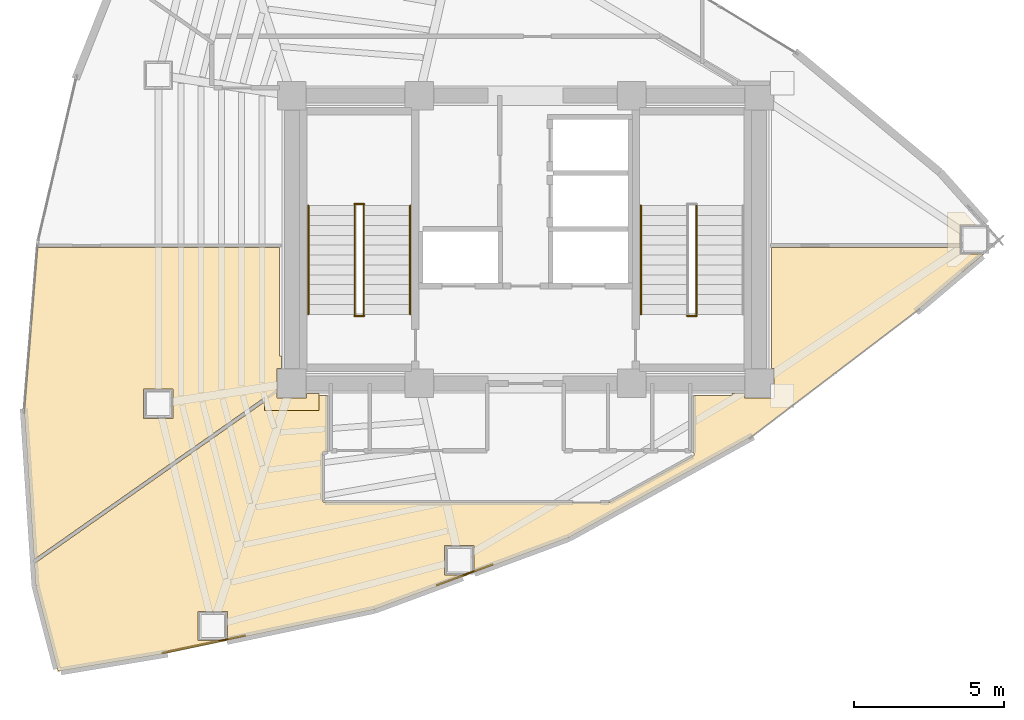
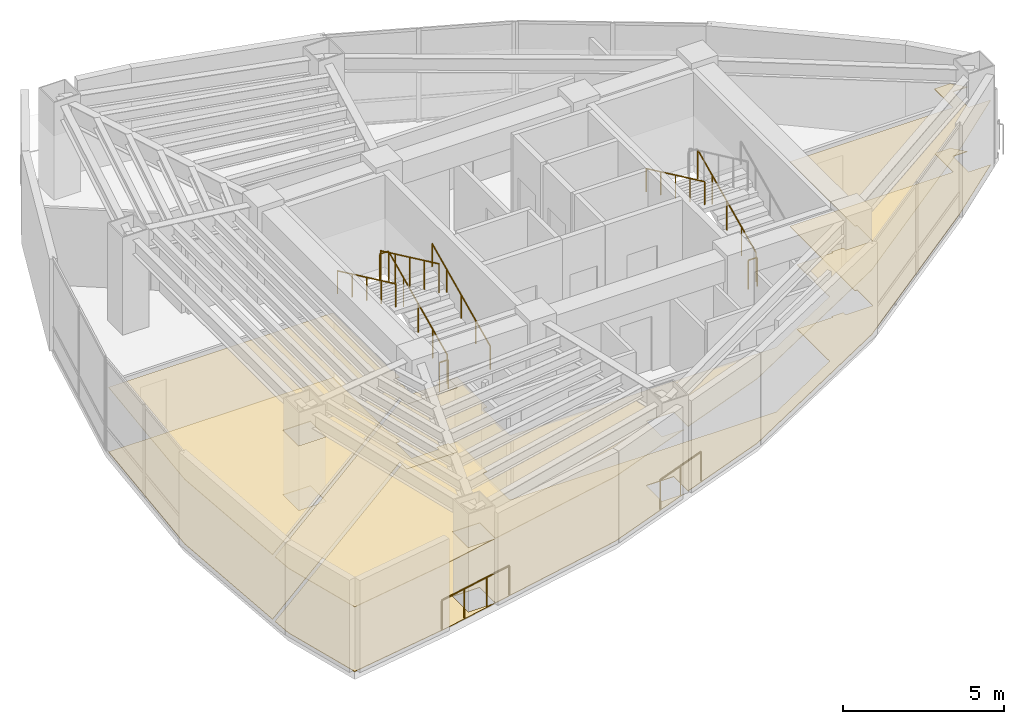
# One storey, part 14 of 15: 11 railings, 4 coverings.
"""IFC4 building model written with IfcOpenShell, lengths in metres."""

from ifc_helpers import new_model, si_unit, direction, frame, origin, origin_2d, place, context, subcontext, project, spatial, polyline, circle, outline, extrude, material, layer, layer_set, type_object, element, save


model = new_model("IFC4")

# Units and contexts
model_context = context("Model", 3, precision=1e-05, world=origin(), true_north=direction((0.0, 1.0)))
body_context = subcontext(model_context, "Body", "Model", "MODEL_VIEW")
ifc_project = project(units=[si_unit("LENGTHUNIT", "METRE"), si_unit("AREAUNIT", "SQUARE_METRE"), si_unit("VOLUMEUNIT", "CUBIC_METRE"), si_unit("PLANEANGLEUNIT", "RADIAN"), si_unit("MASSUNIT", "GRAM", prefix="KILO")], contexts=[model_context])

# Site, building, storey
site_placement = place(None, origin())
site = spatial("IfcSite", under=ifc_project, at=site_placement, CompositionType="ELEMENT")
building_placement = place(site_placement, origin())
building = spatial("IfcBuilding", under=site, at=building_placement, Name="Menara Vayukalpa", CompositionType="ELEMENT")
storey_placement = place(building_placement, frame((0.0, 0.0, 172.919921875)))
storey = spatial("IfcBuildingStorey", under=building, at=storey_placement, Name="L43", CompositionType="ELEMENT", Elevation=172.919921875)

# Coverings
ifc_material_1 = material(Name="Mineral Fibre Acoustic Ceiling Tile", Category="masonry")
ifc_layer_1 = layer(ifc_material_1, 0.02490234375)
ifc_layer_set_1 = layer_set([ifc_layer_1], Name="Mineral Fibre Acoustic Ceiling Tile")
covering_type_1 = type_object("IfcCoveringType", Name="COV-CLG1", PredefinedType="CEILING", material=ifc_layer_set_1)
covering_1_placement = place(storey_placement, frame((0.0, 0.0, 2.4501953125)))
element("IfcCovering", 1, at=covering_1_placement, inside=storey, type_object=covering_type_1, Name="L43 Executive Boardroom Acoustic Ceiling", PredefinedType="CEILING", context=body_context, shape_type="SweptSolid", body=[
    extrude(outline(polyline([(9.31494140625, 21.731689453125), (9.315185546875, 21.73291015625), (9.3154296875, 21.733642578125), (9.31591796875, 21.734619140625), (9.31640625, 21.735595703125), (9.31689453125, 21.736328125), (9.317626953125, 21.737060546875), (9.318359375, 21.73779296875), (9.319091796875, 21.73828125), (9.31982421875, 21.73876953125), (9.32080078125, 21.7392578125), (9.32177734375, 21.739501953125), (9.32275390625, 21.73974609375), (9.32373046875, 21.739990234375), (9.32470703125, 21.739990234375), (17.3798828125, 21.739990234375), (17.381103515625, 21.739990234375), (17.382080078125, 21.73974609375), (17.3828125, 21.739501953125), (17.3837890625, 21.7392578125), (17.384765625, 21.73876953125), (17.385498046875, 21.73828125), (17.38623046875, 21.73779296875), (17.38720703125, 21.737060546875), (17.3876953125, 21.736328125), (17.38818359375, 21.735595703125), (17.388916015625, 21.734619140625), (17.38916015625, 21.73388671875), (17.3896484375, 21.73291015625), (17.389892578125, 21.73193359375), (17.389892578125, 21.73095703125), (17.389892578125, 21.72998046875), (17.389892578125, 18.110107421875), (17.449951171875, 18.110107421875), (17.449951171875, 17.68994140625), (17.31005859375, 17.68994140625), (17.31005859375, 16.7099609375), (18.2900390625, 16.7099609375), (18.2900390625, 16.85009765625), (18.7099609375, 16.85009765625), (18.7099609375, 16.2900390625), (16.889892578125, 16.2900390625), (16.889892578125, 16.725830078125), (9.211181640625, 11.329833984375), (9.21044921875, 11.329345703125), (9.209716796875, 11.3291015625), (9.208740234375, 11.32861328125), (9.207763671875, 11.328369140625), (9.206787109375, 11.328125), (9.205810546875, 11.328125), (9.204833984375, 11.328125), (9.203857421875, 11.328125), (9.202880859375, 11.328369140625), (9.2021484375, 11.32861328125), (9.201171875, 11.3291015625), (9.2001953125, 11.32958984375), (9.199462890625, 11.330078125), (9.19873046875, 11.330810546875), (9.197998046875, 11.331298828125), (9.197509765625, 11.33203125), (9.197021484375, 11.3330078125), (9.196533203125, 11.333740234375), (9.196044921875, 11.334716796875), (9.19580078125, 11.33544921875), (9.195556640625, 11.33642578125), (9.195556640625, 11.33740234375), (8.871826171875, 16.236083984375), (8.871826171875, 16.23779296875), (9.314697265625, 21.730712890625), (9.31494140625, 21.731689453125)]), holes=[polyline([(13.833984375, 17.000732421875), (12.85400390625, 17.000732421875), (12.85400390625, 16.020751953125), (13.833984375, 16.020751953125), (13.833984375, 17.000732421875)])]), origin(), (0.0, 0.0, 1.0), 0.02490234375),
])
covering_2_placement = place(storey_placement, frame((0.0, 0.0, 2.4501953125)))
element("IfcCovering", 2, at=covering_2_placement, inside=storey, type_object=covering_type_1, Name="L43 Client Conference Room Acoustic Ceiling", PredefinedType="CEILING", context=body_context, shape_type="SweptSolid", body=[
    extrude(outline(polyline([(20.558349609375, 9.651611328125), (15.644775390625, 8.615478515625), (15.644775390625, 9.58740234375), (14.664794921875, 9.58740234375), (14.664794921875, 8.607421875), (15.605712890625, 8.607421875), (13.646728515625, 8.1943359375), (13.646240234375, 8.194091796875), (10.00390625, 7.586181640625), (10.0029296875, 7.586181640625), (10.001953125, 7.586181640625), (10.0009765625, 7.586181640625), (10.0, 7.58642578125), (9.9990234375, 7.586669921875), (9.998046875, 7.587158203125), (9.997314453125, 7.587646484375), (9.996337890625, 7.588134765625), (9.99560546875, 7.588623046875), (9.994873046875, 7.58935546875), (9.994140625, 7.590087890625), (9.99365234375, 7.591064453125), (9.9931640625, 7.591796875), (9.992919921875, 7.5927734375), (9.992431640625, 7.59375), (9.255859375, 10.42724609375), (9.255615234375, 10.427978515625), (9.255615234375, 10.428955078125), (9.206298828125, 11.17431640625), (9.206298828125, 11.17529296875), (9.206298828125, 11.17626953125), (9.20654296875, 11.17724609375), (9.206787109375, 11.177978515625), (9.20703125, 11.178955078125), (9.20751953125, 11.1796875), (9.2080078125, 11.1806640625), (9.20849609375, 11.181396484375), (9.209228515625, 11.18212890625), (9.2099609375, 11.182861328125), (9.210693359375, 11.183349609375), (9.211181640625, 11.18359375), (9.211181640625, 11.18359375), (9.216796875, 11.18701171875), (16.889892578125, 16.5791015625), (16.889892578125, 18.110107421875), (17.449951171875, 18.110107421875), (17.449951171875, 17.68994140625), (17.31005859375, 17.68994140625), (17.31005859375, 16.7099609375), (18.2900390625, 16.7099609375), (18.2900390625, 16.85009765625), (18.7099609375, 16.85009765625), (18.7099609375, 16.7900390625), (18.97998046875, 16.7900390625), (18.98095703125, 16.7900390625), (18.98193359375, 16.789794921875), (18.98291015625, 16.78955078125), (18.98388671875, 16.789306640625), (18.984619140625, 16.788818359375), (18.985595703125, 16.788330078125), (18.986328125, 16.78759765625), (18.987060546875, 16.787109375), (18.98779296875, 16.786376953125), (18.98828125, 16.78564453125), (18.98876953125, 16.78466796875), (18.9892578125, 16.78369140625), (18.989501953125, 16.782958984375), (18.98974609375, 16.781982421875), (18.989990234375, 16.781005859375), (18.989990234375, 16.780029296875), (18.989990234375, 14.929931640625), (18.989990234375, 14.928955078125), (18.98974609375, 14.927978515625), (18.989501953125, 14.927001953125), (18.9892578125, 14.92626953125), (18.98876953125, 14.92529296875), (18.98828125, 14.92431640625), (18.98779296875, 14.923583984375), (18.987060546875, 14.9228515625), (18.986328125, 14.92236328125), (18.985595703125, 14.921630859375), (18.984619140625, 14.921142578125), (18.98388671875, 14.9208984375), (18.98291015625, 14.92041015625), (18.98193359375, 14.920166015625), (18.98095703125, 14.919921875), (18.97998046875, 14.919921875), (18.900390625, 14.919921875), (18.893310546875, 14.919677734375), (18.88623046875, 14.918701171875), (18.879638671875, 14.9169921875), (18.873291015625, 14.914794921875), (18.866943359375, 14.911865234375), (18.861083984375, 14.908203125), (18.85546875, 14.904052734375), (18.8505859375, 14.8994140625), (18.845947265625, 14.89453125), (18.841796875, 14.888916015625), (18.838134765625, 14.883056640625), (18.835205078125, 14.876708984375), (18.8330078125, 14.870361328125), (18.831298828125, 14.86376953125), (18.830322265625, 14.856689453125), (18.830078125, 14.849609375), (18.830078125, 13.290283203125), (18.830322265625, 13.283203125), (18.831298828125, 13.2763671875), (18.8330078125, 13.269775390625), (18.835205078125, 13.26318359375), (18.838134765625, 13.257080078125), (18.841796875, 13.251220703125), (18.845947265625, 13.24560546875), (18.8505859375, 13.240478515625), (18.85546875, 13.236083984375), (18.861083984375, 13.231689453125), (18.866943359375, 13.228271484375), (18.873291015625, 13.225341796875), (18.879638671875, 13.222900390625), (18.88623046875, 13.22119140625), (18.893310546875, 13.220458984375), (18.900390625, 13.219970703125), (28.379150390625, 13.219970703125), (28.386474609375, 13.220458984375), (28.393310546875, 13.221435546875), (28.400146484375, 13.22314453125), (28.406982421875, 13.2255859375), (28.413330078125, 13.228759765625), (31.18359375, 14.75634765625), (31.189453125, 14.760009765625), (31.195068359375, 14.764404296875), (31.199951171875, 14.768798828125), (31.20458984375, 14.77392578125), (31.20849609375, 14.779296875), (31.2119140625, 14.785400390625), (31.21484375, 14.791259765625), (31.217041015625, 14.7978515625), (31.21875, 14.804443359375), (31.219482421875, 14.811279296875), (31.219970703125, 14.818115234375), (31.219970703125, 14.849609375), (31.219482421875, 14.856689453125), (31.21875, 14.86376953125), (31.217041015625, 14.870361328125), (31.214599609375, 14.876708984375), (31.2119140625, 14.8828125), (31.211669921875, 14.883056640625), (31.211181640625, 14.8837890625), (31.210693359375, 14.884765625), (31.21044921875, 14.8857421875), (31.210205078125, 14.88671875), (31.2099609375, 14.8876953125), (31.2099609375, 14.888671875), (31.2099609375, 16.780029296875), (31.2099609375, 16.781005859375), (31.210205078125, 16.781982421875), (31.21044921875, 16.782958984375), (31.210693359375, 16.78369140625), (31.211181640625, 16.78466796875), (31.211669921875, 16.78564453125), (31.21240234375, 16.786376953125), (31.212890625, 16.787109375), (31.213623046875, 16.78759765625), (31.21435546875, 16.788330078125), (31.21533203125, 16.788818359375), (31.21630859375, 16.789306640625), (31.217041015625, 16.78955078125), (31.218017578125, 16.789794921875), (31.218994140625, 16.7900390625), (31.219970703125, 16.7900390625), (32.489990234375, 16.7900390625), (32.489990234375, 16.85009765625), (32.909912109375, 16.85009765625), (32.909912109375, 16.7099609375), (33.889892578125, 16.7099609375), (33.889892578125, 17.68994140625), (33.81005859375, 17.68994140625), (33.81005859375, 21.72998046875), (33.81005859375, 21.73095703125), (33.810302734375, 21.73193359375), (33.810302734375, 21.73291015625), (33.810791015625, 21.73388671875), (33.811279296875, 21.734619140625), (33.811767578125, 21.735595703125), (33.812255859375, 21.736328125), (33.81298828125, 21.737060546875), (33.813720703125, 21.73779296875), (33.814453125, 21.73828125), (33.815185546875, 21.73876953125), (33.816162109375, 21.7392578125), (33.817138671875, 21.739501953125), (33.818115234375, 21.73974609375), (33.819091796875, 21.739990234375), (33.820068359375, 21.739990234375), (39.680419921875, 21.739990234375), (39.680419921875, 22.909912109375), (40.251953125, 22.909912109375), (40.62646484375, 22.489990234375), (40.1005859375, 22.489990234375), (40.1005859375, 21.510009765625), (40.89599609375, 21.510009765625), (38.715087890625, 19.6650390625), (38.71484375, 19.66455078125), (33.093505859375, 15.38720703125), (33.09228515625, 15.386474609375), (27.041748046875, 12.0498046875), (27.041015625, 12.04931640625), (27.040283203125, 12.049072265625), (23.87939453125, 10.8798828125), (23.87939453125, 11.781494140625), (22.8994140625, 11.781494140625), (22.8994140625, 10.801513671875), (23.66748046875, 10.801513671875), (20.559814453125, 9.652099609375), (20.558349609375, 9.651611328125)])), origin(), (0.0, 0.0, 1.0), 0.02490234375),
])
ifc_material_2 = material(Name="Porcelain Stoneware Floor Tile", Category="masonry")
ifc_layer_2 = layer(ifc_material_2, 0.02001953125)
ifc_layer_set_2 = layer_set([ifc_layer_2], Name="Porcelain Stoneware Floor Tile")
covering_type_2 = type_object("IfcCoveringType", Name="COV-FLR1", PredefinedType="FLOORING", material=ifc_layer_set_2)
covering_3_placement = place(storey_placement, origin())
element("IfcCovering", 3, at=covering_3_placement, inside=storey, type_object=covering_type_2, Name="L43 Executive Boardroom Porcelain Flooring", PredefinedType="FLOORING", context=body_context, shape_type="SweptSolid", body=[
    extrude(outline(polyline([(9.31494140625, 21.731689453125), (9.315185546875, 21.73291015625), (9.3154296875, 21.733642578125), (9.31591796875, 21.734619140625), (9.31640625, 21.735595703125), (9.31689453125, 21.736328125), (9.317626953125, 21.737060546875), (9.318359375, 21.73779296875), (9.319091796875, 21.73828125), (9.31982421875, 21.73876953125), (9.32080078125, 21.7392578125), (9.32177734375, 21.739501953125), (9.32275390625, 21.73974609375), (9.32373046875, 21.739990234375), (9.32470703125, 21.739990234375), (17.3798828125, 21.739990234375), (17.381103515625, 21.739990234375), (17.382080078125, 21.73974609375), (17.3828125, 21.739501953125), (17.3837890625, 21.7392578125), (17.384765625, 21.73876953125), (17.385498046875, 21.73828125), (17.38623046875, 21.73779296875), (17.38720703125, 21.737060546875), (17.3876953125, 21.736328125), (17.38818359375, 21.735595703125), (17.388916015625, 21.734619140625), (17.38916015625, 21.73388671875), (17.3896484375, 21.73291015625), (17.389892578125, 21.73193359375), (17.389892578125, 21.73095703125), (17.389892578125, 21.72998046875), (17.389892578125, 18.110107421875), (17.449951171875, 18.110107421875), (17.449951171875, 17.68994140625), (17.31005859375, 17.68994140625), (17.31005859375, 16.7099609375), (18.2900390625, 16.7099609375), (18.2900390625, 16.85009765625), (18.7099609375, 16.85009765625), (18.7099609375, 16.2900390625), (16.889892578125, 16.2900390625), (16.889892578125, 16.725830078125), (9.211181640625, 11.329833984375), (9.21044921875, 11.329345703125), (9.209716796875, 11.3291015625), (9.208740234375, 11.32861328125), (9.207763671875, 11.328369140625), (9.206787109375, 11.328125), (9.205810546875, 11.328125), (9.204833984375, 11.328125), (9.203857421875, 11.328125), (9.202880859375, 11.328369140625), (9.2021484375, 11.32861328125), (9.201171875, 11.3291015625), (9.2001953125, 11.32958984375), (9.199462890625, 11.330078125), (9.19873046875, 11.330810546875), (9.197998046875, 11.331298828125), (9.197509765625, 11.33203125), (9.197021484375, 11.3330078125), (9.196533203125, 11.333740234375), (9.196044921875, 11.334716796875), (9.19580078125, 11.33544921875), (9.195556640625, 11.33642578125), (9.195556640625, 11.33740234375), (8.871826171875, 16.236083984375), (8.871826171875, 16.23779296875), (9.314697265625, 21.730712890625), (9.31494140625, 21.731689453125)]), holes=[polyline([(13.833984375, 17.000732421875), (12.85400390625, 17.000732421875), (12.85400390625, 16.020751953125), (13.833984375, 16.020751953125), (13.833984375, 17.000732421875)])]), origin(), (0.0, 0.0, 1.0), 0.02001953125),
])
covering_4_placement = place(storey_placement, origin())
element("IfcCovering", 4, at=covering_4_placement, inside=storey, type_object=covering_type_2, Name="L43 Client Conference Room Porcelain Flooring", PredefinedType="FLOORING", context=body_context, shape_type="SweptSolid", body=[
    extrude(outline(polyline([(20.558349609375, 9.651611328125), (15.644775390625, 8.615478515625), (15.644775390625, 9.58740234375), (14.664794921875, 9.58740234375), (14.664794921875, 8.607421875), (15.605712890625, 8.607421875), (13.646728515625, 8.1943359375), (13.646240234375, 8.194091796875), (10.00390625, 7.586181640625), (10.0029296875, 7.586181640625), (10.001953125, 7.586181640625), (10.0009765625, 7.586181640625), (10.0, 7.58642578125), (9.9990234375, 7.586669921875), (9.998046875, 7.587158203125), (9.997314453125, 7.587646484375), (9.996337890625, 7.588134765625), (9.99560546875, 7.588623046875), (9.994873046875, 7.58935546875), (9.994140625, 7.590087890625), (9.99365234375, 7.591064453125), (9.9931640625, 7.591796875), (9.992919921875, 7.5927734375), (9.992431640625, 7.59375), (9.255859375, 10.42724609375), (9.255615234375, 10.427978515625), (9.255615234375, 10.428955078125), (9.206298828125, 11.17431640625), (9.206298828125, 11.17529296875), (9.206298828125, 11.17626953125), (9.20654296875, 11.17724609375), (9.206787109375, 11.177978515625), (9.20703125, 11.178955078125), (9.20751953125, 11.1796875), (9.2080078125, 11.1806640625), (9.20849609375, 11.181396484375), (9.209228515625, 11.18212890625), (9.2099609375, 11.182861328125), (9.210693359375, 11.183349609375), (9.211181640625, 11.18359375), (9.211181640625, 11.18359375), (9.216796875, 11.18701171875), (16.889892578125, 16.5791015625), (16.889892578125, 18.110107421875), (17.449951171875, 18.110107421875), (17.449951171875, 17.68994140625), (17.31005859375, 17.68994140625), (17.31005859375, 16.7099609375), (18.2900390625, 16.7099609375), (18.2900390625, 16.85009765625), (18.7099609375, 16.85009765625), (18.7099609375, 16.7900390625), (18.97998046875, 16.7900390625), (18.98095703125, 16.7900390625), (18.98193359375, 16.789794921875), (18.98291015625, 16.78955078125), (18.98388671875, 16.789306640625), (18.984619140625, 16.788818359375), (18.985595703125, 16.788330078125), (18.986328125, 16.78759765625), (18.987060546875, 16.787109375), (18.98779296875, 16.786376953125), (18.98828125, 16.78564453125), (18.98876953125, 16.78466796875), (18.9892578125, 16.78369140625), (18.989501953125, 16.782958984375), (18.98974609375, 16.781982421875), (18.989990234375, 16.781005859375), (18.989990234375, 16.780029296875), (18.989990234375, 14.929931640625), (18.989990234375, 14.928955078125), (18.98974609375, 14.927978515625), (18.989501953125, 14.927001953125), (18.9892578125, 14.92626953125), (18.98876953125, 14.92529296875), (18.98828125, 14.92431640625), (18.98779296875, 14.923583984375), (18.987060546875, 14.9228515625), (18.986328125, 14.92236328125), (18.985595703125, 14.921630859375), (18.984619140625, 14.921142578125), (18.98388671875, 14.9208984375), (18.98291015625, 14.92041015625), (18.98193359375, 14.920166015625), (18.98095703125, 14.919921875), (18.97998046875, 14.919921875), (18.900390625, 14.919921875), (18.893310546875, 14.919677734375), (18.88623046875, 14.918701171875), (18.879638671875, 14.9169921875), (18.873291015625, 14.914794921875), (18.866943359375, 14.911865234375), (18.861083984375, 14.908203125), (18.85546875, 14.904052734375), (18.8505859375, 14.8994140625), (18.845947265625, 14.89453125), (18.841796875, 14.888916015625), (18.838134765625, 14.883056640625), (18.835205078125, 14.876708984375), (18.8330078125, 14.870361328125), (18.831298828125, 14.86376953125), (18.830322265625, 14.856689453125), (18.830078125, 14.849609375), (18.830078125, 13.290283203125), (18.830322265625, 13.283203125), (18.831298828125, 13.2763671875), (18.8330078125, 13.269775390625), (18.835205078125, 13.26318359375), (18.838134765625, 13.257080078125), (18.841796875, 13.251220703125), (18.845947265625, 13.24560546875), (18.8505859375, 13.240478515625), (18.85546875, 13.236083984375), (18.861083984375, 13.231689453125), (18.866943359375, 13.228271484375), (18.873291015625, 13.225341796875), (18.879638671875, 13.222900390625), (18.88623046875, 13.22119140625), (18.893310546875, 13.220458984375), (18.900390625, 13.219970703125), (28.379150390625, 13.219970703125), (28.386474609375, 13.220458984375), (28.393310546875, 13.221435546875), (28.400146484375, 13.22314453125), (28.406982421875, 13.2255859375), (28.413330078125, 13.228759765625), (31.18359375, 14.75634765625), (31.189453125, 14.760009765625), (31.195068359375, 14.764404296875), (31.199951171875, 14.768798828125), (31.20458984375, 14.77392578125), (31.20849609375, 14.779296875), (31.2119140625, 14.785400390625), (31.21484375, 14.791259765625), (31.217041015625, 14.7978515625), (31.21875, 14.804443359375), (31.219482421875, 14.811279296875), (31.219970703125, 14.818115234375), (31.219970703125, 14.849609375), (31.219482421875, 14.856689453125), (31.21875, 14.86376953125), (31.217041015625, 14.870361328125), (31.214599609375, 14.876708984375), (31.2119140625, 14.8828125), (31.211669921875, 14.883056640625), (31.211181640625, 14.8837890625), (31.210693359375, 14.884765625), (31.21044921875, 14.8857421875), (31.210205078125, 14.88671875), (31.2099609375, 14.8876953125), (31.2099609375, 14.888671875), (31.2099609375, 16.780029296875), (31.2099609375, 16.781005859375), (31.210205078125, 16.781982421875), (31.21044921875, 16.782958984375), (31.210693359375, 16.78369140625), (31.211181640625, 16.78466796875), (31.211669921875, 16.78564453125), (31.21240234375, 16.786376953125), (31.212890625, 16.787109375), (31.213623046875, 16.78759765625), (31.21435546875, 16.788330078125), (31.21533203125, 16.788818359375), (31.21630859375, 16.789306640625), (31.217041015625, 16.78955078125), (31.218017578125, 16.789794921875), (31.218994140625, 16.7900390625), (31.219970703125, 16.7900390625), (32.489990234375, 16.7900390625), (32.489990234375, 16.85009765625), (32.909912109375, 16.85009765625), (32.909912109375, 16.7099609375), (33.889892578125, 16.7099609375), (33.889892578125, 17.68994140625), (33.81005859375, 17.68994140625), (33.81005859375, 21.72998046875), (33.81005859375, 21.73095703125), (33.810302734375, 21.73193359375), (33.810302734375, 21.73291015625), (33.810791015625, 21.73388671875), (33.811279296875, 21.734619140625), (33.811767578125, 21.735595703125), (33.812255859375, 21.736328125), (33.81298828125, 21.737060546875), (33.813720703125, 21.73779296875), (33.814453125, 21.73828125), (33.815185546875, 21.73876953125), (33.816162109375, 21.7392578125), (33.817138671875, 21.739501953125), (33.818115234375, 21.73974609375), (33.819091796875, 21.739990234375), (33.820068359375, 21.739990234375), (39.680419921875, 21.739990234375), (39.680419921875, 22.909912109375), (40.251953125, 22.909912109375), (40.62646484375, 22.489990234375), (40.1005859375, 22.489990234375), (40.1005859375, 21.510009765625), (40.89599609375, 21.510009765625), (38.715087890625, 19.6650390625), (38.71484375, 19.66455078125), (33.093505859375, 15.38720703125), (33.09228515625, 15.386474609375), (27.041748046875, 12.0498046875), (27.041015625, 12.04931640625), (27.040283203125, 12.049072265625), (23.87939453125, 10.8798828125), (23.87939453125, 11.781494140625), (22.8994140625, 11.781494140625), (22.8994140625, 10.801513671875), (23.66748046875, 10.801513671875), (20.559814453125, 9.652099609375), (20.558349609375, 9.651611328125)])), origin(), (0.0, 0.0, 1.0), 0.02001953125),
])

# Railings
ifc_material_3 = material(Name="Laminated Glass and Stainless Steel 316 Guardrail", Category="steel")
railing_type_1 = type_object("IfcRailingType", Name="RLG-EXT115", PredefinedType="GUARDRAIL", material=ifc_material_3)
railing_1_placement = place(storey_placement, frame((13.4814453125, 8.2001953125, 0.0)))
element("IfcRailing", 5, at=railing_1_placement, inside=storey, type_object=railing_type_1, Name="L43 Column Corner Spandrel Guardrail 15-1", PredefinedType="GUARDRAIL", context=body_context, shape_type="SweptSolid", body=[
    extrude(circle(Radius=0.02392578125, at=origin_2d()), frame((0.0, 0.0, 1.1259765625), z_axis=(0.978484458883, 0.206320536362, 0.0), x_axis=(-0.206320536362, 0.978484458883, 0.0)), (0.0, 0.0, 1.0), 2.8173828125),
    extrude(circle(Radius=0.02099609375, at=origin_2d()), origin(), (0.0, 0.0, 1.0), 1.101806640625),
    extrude(circle(Radius=0.02099609375, at=origin_2d()), frame((0.9189453125, 0.19384765625, 0.0)), (0.0, 0.0, 1.0), 1.101806640625),
    extrude(circle(Radius=0.02099609375, at=origin_2d()), frame((1.837890625, 0.387451171875, 0.0)), (0.0, 0.0, 1.0), 1.101806640625),
    extrude(circle(Radius=0.02099609375, at=origin_2d()), frame((2.7568359375, 0.581298828125, 0.0)), (0.0, 0.0, 1.0), 1.101806640625),
])
railing_2_placement = place(storey_placement, frame((22.63525390625, 10.46240234375, 0.0)))
element("IfcRailing", 6, at=railing_2_placement, inside=storey, type_object=railing_type_1, Name="L43 Column Corner Spandrel Guardrail 16-1", PredefinedType="GUARDRAIL", context=body_context, shape_type="SweptSolid", body=[
    extrude(circle(Radius=0.02392578125, at=origin_2d()), frame((0.0, 0.0, 1.1259765625), z_axis=(0.937887791782, 0.346938741028, 0.0), x_axis=(-0.346938741028, 0.937887791782, 0.0)), (0.0, 0.0, 1.0), 1.989990234375),
    extrude(circle(Radius=0.02099609375, at=origin_2d()), origin(), (0.0, 0.0, 1.0), 1.101806640625),
    extrude(circle(Radius=0.02099609375, at=origin_2d()), frame((0.93310546875, 0.34521484375, 0.0)), (0.0, 0.0, 1.0), 1.101806640625),
    extrude(circle(Radius=0.02099609375, at=origin_2d()), frame((1.866455078125, 0.6904296875, 0.0)), (0.0, 0.0, 1.0), 1.101806640625),
])
ifc_material_4 = material(Name="Powder-Coated Galvanised Steel Guardrail", Category="steel")
railing_type_2 = type_object("IfcRailingType", Name="RLG-STG110", PredefinedType="GUARDRAIL", material=ifc_material_4)
railing_3_placement = place(storey_placement, frame((20.199951171875, 19.5, 0.155029296875)))
element("IfcRailing", 7, at=railing_3_placement, inside=storey, type_object=railing_type_2, Name="L43 ST-1 stair guard 1", PredefinedType="GUARDRAIL", context=body_context, shape_type="SweptSolid", body=[
    extrude(circle(Radius=0.02392578125, at=origin_2d()), frame((0.0, 0.0, 1.09619140625), z_axis=(0.0, 0.90511648382, 0.425163675209), x_axis=(-1.0, 0.0, 0.0)), (0.0, 0.0, 1.0), 4.010498046875),
    extrude(circle(Radius=0.02099609375, at=origin_2d()), origin(), (0.0, 0.0, 1.0), 1.072021484375),
    extrude(circle(Radius=0.02099609375, at=origin_2d()), frame((0.0, 0.907470703125, 0.42626953125)), (0.0, 0.0, 1.0), 1.072021484375),
    extrude(circle(Radius=0.02099609375, at=origin_2d()), frame((0.0, 1.81494140625, 0.8525390625)), (0.0, 0.0, 1.0), 1.072021484375),
    extrude(circle(Radius=0.02099609375, at=origin_2d()), frame((0.0, 2.722412109375, 1.27880859375)), (0.0, 0.0, 1.0), 1.072021484375),
    extrude(circle(Radius=0.02099609375, at=origin_2d()), frame((0.0, 3.6298828125, 1.705078125)), (0.0, 0.0, 1.0), 1.072021484375),
])
railing_4_placement = place(storey_placement, frame((20.2099609375, 23.179931640625, 1.860107421875)))
element("IfcRailing", 8, at=railing_4_placement, inside=storey, type_object=railing_type_2, Name="L43 ST-1 stair guard 2", PredefinedType="GUARDRAIL", context=body_context, shape_type="SweptSolid", body=[
    extrude(circle(Radius=0.02392578125, at=origin_2d()), frame((0.0, 0.0, 1.09619140625), z_axis=(-1.0, 0.0, 0.0), x_axis=(0.0, -1.0, 0.0)), (0.0, 0.0, 1.0), 0.320068359375),
    extrude(circle(Radius=0.02099609375, at=origin_2d()), origin(), (0.0, 0.0, 1.0), 1.072021484375),
    extrude(circle(Radius=0.02099609375, at=origin_2d()), frame((-0.320068359375, 0.0, 0.0)), (0.0, 0.0, 1.0), 1.072021484375),
])
railing_5_placement = place(storey_placement, frame((19.89990234375, 23.1298828125, 2.01513671875)))
element("IfcRailing", 9, at=railing_5_placement, inside=storey, type_object=railing_type_2, Name="L43 ST-1 stair guard 3", PredefinedType="GUARDRAIL", context=body_context, shape_type="SweptSolid", body=[
    extrude(circle(Radius=0.02392578125, at=origin_2d()), frame((0.0, 0.0, 1.09619140625), z_axis=(0.0, -0.90513990983, 0.425113800803), x_axis=(1.0, 0.0, 0.0)), (0.0, 0.0, 1.0), 4.01025390625),
    extrude(circle(Radius=0.02099609375, at=origin_2d()), origin(), (0.0, 0.0, 1.0), 1.072021484375),
    extrude(circle(Radius=0.02099609375, at=origin_2d()), frame((0.0, -0.907470703125, 0.42626953125)), (0.0, 0.0, 1.0), 1.072021484375),
    extrude(circle(Radius=0.02099609375, at=origin_2d()), frame((0.0, -1.81494140625, 0.8525390625)), (0.0, 0.0, 1.0), 1.072021484375),
    extrude(circle(Radius=0.02099609375, at=origin_2d()), frame((0.0, -2.722412109375, 1.278564453125)), (0.0, 0.0, 1.0), 1.072021484375),
    extrude(circle(Radius=0.02099609375, at=origin_2d()), frame((0.0, -3.6298828125, 1.704833984375)), (0.0, 0.0, 1.0), 1.072021484375),
])
railing_6_placement = place(storey_placement, frame((20.2099609375, 19.449951171875, 0.0)))
element("IfcRailing", 10, at=railing_6_placement, inside=storey, type_object=railing_type_2, Name="L43 ST-1 stair guard 4", PredefinedType="GUARDRAIL", context=body_context, shape_type="SweptSolid", body=[
    extrude(circle(Radius=0.02392578125, at=origin_2d()), frame((0.0, 0.0, 1.09619140625), z_axis=(-1.0, 0.0, 0.0), x_axis=(0.0, -1.0, 0.0)), (0.0, 0.0, 1.0), 0.320068359375),
    extrude(circle(Radius=0.02099609375, at=origin_2d()), origin(), (0.0, 0.0, 1.0), 1.072021484375),
    extrude(circle(Radius=0.02099609375, at=origin_2d()), frame((-0.320068359375, 0.0, 0.0)), (0.0, 0.0, 1.0), 1.072021484375),
])
railing_7_placement = place(storey_placement, frame((31.300048828125, 19.5, 0.155029296875)))
element("IfcRailing", 11, at=railing_7_placement, inside=storey, type_object=railing_type_2, Name="L43 ST-2 stair guard 1", PredefinedType="GUARDRAIL", context=body_context, shape_type="SweptSolid", body=[
    extrude(circle(Radius=0.02392578125, at=origin_2d()), frame((0.0, 0.0, 1.09619140625), z_axis=(0.0, 0.90511648382, 0.425163675209), x_axis=(-1.0, 0.0, 0.0)), (0.0, 0.0, 1.0), 4.010498046875),
    extrude(circle(Radius=0.02099609375, at=origin_2d()), origin(), (0.0, 0.0, 1.0), 1.072021484375),
    extrude(circle(Radius=0.02099609375, at=origin_2d()), frame((0.0, 0.907470703125, 0.42626953125)), (0.0, 0.0, 1.0), 1.072021484375),
    extrude(circle(Radius=0.02099609375, at=origin_2d()), frame((0.0, 1.81494140625, 0.8525390625)), (0.0, 0.0, 1.0), 1.072021484375),
    extrude(circle(Radius=0.02099609375, at=origin_2d()), frame((0.0, 2.722412109375, 1.27880859375)), (0.0, 0.0, 1.0), 1.072021484375),
    extrude(circle(Radius=0.02099609375, at=origin_2d()), frame((0.0, 3.6298828125, 1.705078125)), (0.0, 0.0, 1.0), 1.072021484375),
])
railing_8_placement = place(storey_placement, frame((31.31005859375, 19.449951171875, 0.0)))
element("IfcRailing", 12, at=railing_8_placement, inside=storey, type_object=railing_type_2, Name="L43 ST-2 stair guard 4", PredefinedType="GUARDRAIL", context=body_context, shape_type="SweptSolid", body=[
    extrude(circle(Radius=0.02392578125, at=origin_2d()), frame((0.0, 0.0, 1.09619140625), z_axis=(-1.0, 0.0, 0.0), x_axis=(0.0, -1.0, 0.0)), (0.0, 0.0, 1.0), 0.320068359375),
    extrude(circle(Radius=0.02099609375, at=origin_2d()), origin(), (0.0, 0.0, 1.0), 1.072021484375),
    extrude(circle(Radius=0.02099609375, at=origin_2d()), frame((-0.320068359375, 0.0, 0.0)), (0.0, 0.0, 1.0), 1.072021484375),
])
ifc_material_5 = material(Name="Stainless Steel 316 Tubular Handrail", Category="steel")
railing_type_3 = type_object("IfcRailingType", Name="RLG-STH090", PredefinedType="HANDRAIL", material=ifc_material_5)
railing_9_placement = place(storey_placement, frame((21.75, 19.5, 0.155029296875)))
element("IfcRailing", 13, at=railing_9_placement, inside=storey, type_object=railing_type_3, Name="L43 ST-1 stair handrail 1", PredefinedType="HANDRAIL", context=body_context, shape_type="SweptSolid", body=[
    extrude(circle(Radius=0.02392578125, at=origin_2d()), frame((0.0, 0.0, 0.8759765625), z_axis=(0.0, 0.90511648382, 0.425163675209), x_axis=(-1.0, 0.0, 0.0)), (0.0, 0.0, 1.0), 4.010498046875),
    extrude(circle(Radius=0.02099609375, at=origin_2d()), origin(), (0.0, 0.0, 1.0), 0.851806640625),
    extrude(circle(Radius=0.02099609375, at=origin_2d()), frame((0.0, 0.907470703125, 0.42626953125)), (0.0, 0.0, 1.0), 0.851806640625),
    extrude(circle(Radius=0.02099609375, at=origin_2d()), frame((0.0, 1.81494140625, 0.8525390625)), (0.0, 0.0, 1.0), 0.851806640625),
    extrude(circle(Radius=0.02099609375, at=origin_2d()), frame((0.0, 2.722412109375, 1.27880859375)), (0.0, 0.0, 1.0), 0.851806640625),
    extrude(circle(Radius=0.02099609375, at=origin_2d()), frame((0.0, 3.6298828125, 1.705078125)), (0.0, 0.0, 1.0), 0.851806640625),
])
for number, where, name in (
    (14, (18.35009765625, 23.1298828125, 2.01513671875), "L43 ST-1 stair handrail 2"),
    (15, (29.449951171875, 23.1298828125, 2.01513671875), "L43 ST-2 stair handrail 2"),
):
    element("IfcRailing", number, at=place(storey_placement, frame(where)), inside=storey, type_object=railing_type_3, Name=name, PredefinedType="HANDRAIL", context=body_context, shape_type="SweptSolid", body=[
        extrude(circle(Radius=0.02392578125, at=origin_2d()), frame((0.0, 0.0, 0.8759765625), z_axis=(0.0, -0.90513990983, 0.425113800803), x_axis=(1.0, 0.0, 0.0)), (0.0, 0.0, 1.0), 4.01025390625),
        extrude(circle(Radius=0.02099609375, at=origin_2d()), origin(), (0.0, 0.0, 1.0), 0.851806640625),
        extrude(circle(Radius=0.02099609375, at=origin_2d()), frame((0.0, -0.907470703125, 0.42626953125)), (0.0, 0.0, 1.0), 0.851806640625),
        extrude(circle(Radius=0.02099609375, at=origin_2d()), frame((0.0, -1.81494140625, 0.8525390625)), (0.0, 0.0, 1.0), 0.851806640625),
        extrude(circle(Radius=0.02099609375, at=origin_2d()), frame((0.0, -2.722412109375, 1.278564453125)), (0.0, 0.0, 1.0), 0.851806640625),
        extrude(circle(Radius=0.02099609375, at=origin_2d()), frame((0.0, -3.6298828125, 1.704833984375)), (0.0, 0.0, 1.0), 0.851806640625),
    ])

save(model, "model.ifc")
